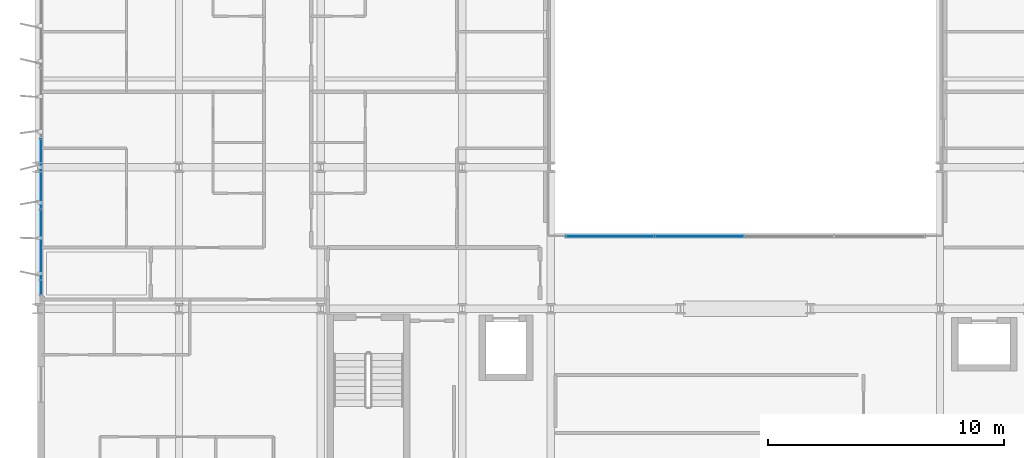
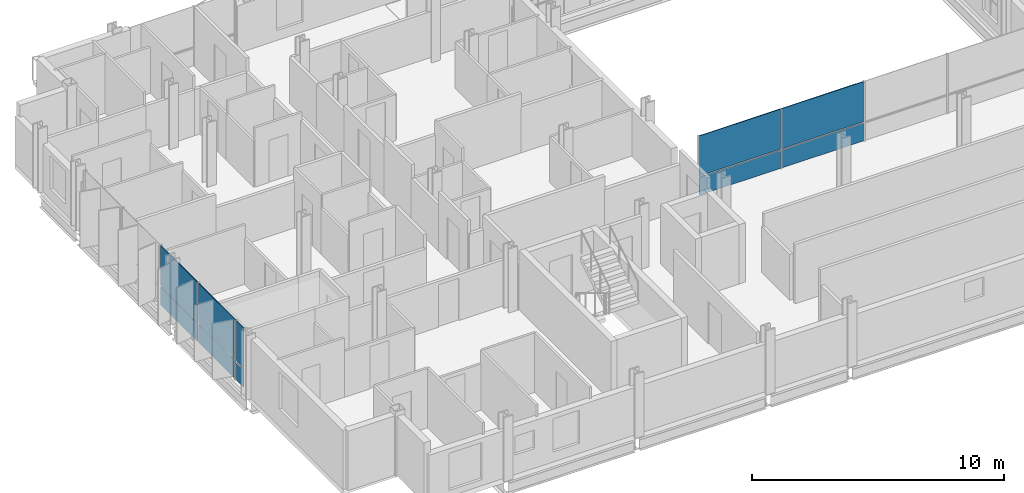
# One storey, part 22 of 39: 10 plates, 2 elements without a shape of their own.
"""IFC4 building model written with IfcOpenShell, lengths in metres."""

from ifc_helpers import new_model, si_unit, direction, frame, origin, origin_2d, place, context, subcontext, project, spatial, rectangle, extrude, material, layer, layer_set, type_object, element, aggregate, save


model = new_model("IFC4")

# Units and contexts
model_context = context("Model", 3, precision=1e-05, world=origin(), true_north=direction((0.0, 1.0)))
body_context = subcontext(model_context, "Body", "Model", "MODEL_VIEW")
ifc_project = project(units=[si_unit("LENGTHUNIT", "METRE"), si_unit("AREAUNIT", "SQUARE_METRE"), si_unit("VOLUMEUNIT", "CUBIC_METRE"), si_unit("PLANEANGLEUNIT", "RADIAN"), si_unit("MASSUNIT", "GRAM", prefix="KILO")], contexts=[model_context])

# Site, building, storey
site_placement = place(None, origin())
site = spatial("IfcSite", under=ifc_project, at=site_placement, CompositionType="ELEMENT")
building_placement = place(site_placement, origin())
building = spatial("IfcBuilding", under=site, at=building_placement, Name="Brevholm Reach", CompositionType="ELEMENT")
storey_placement = place(building_placement, frame((0.0, 0.0, 83.800048828125)))
storey = spatial("IfcBuildingStorey", under=building, at=storey_placement, Name="L24", CompositionType="ELEMENT", Elevation=83.800048828125)

# Curtain wall, plates
ifc_material_1 = material(Name="Dark Anodised Aluminium 6063-T6 and Solar-Control Glass", Category="aluminium")
ifc_layer_1 = layer(ifc_material_1, 0.14990234375)
ifc_layer_set_1 = layer_set([ifc_layer_1], Name="Dark Anodised Aluminium 6063-T6 and Solar-Control Glass")
curtain_wall_type_1 = type_object("IfcCurtainWallType", Name="CW-01", PredefinedType="NOTDEFINED", material=ifc_layer_set_1)
curtain_wall_1_placement = place(storey_placement, origin())
curtain_wall_1 = element("IfcCurtainWall", 1, at=curtain_wall_1_placement, inside=storey, type_object=curtain_wall_type_1, Name="L24 Curtain Wall CW-01", PredefinedType="NOTDEFINED")
ifc_material_2 = material(Name="Dark Solar-Control Double-Glazed IGU Glass", Category="glass")
ifc_layer_2 = layer(ifc_material_2, 0.028076171875)
ifc_layer_set_2 = layer_set([ifc_layer_2], Name="Dark Solar-Control Double-Glazed IGU Glass")
plate_type_1 = type_object("IfcPlateType", Name="CWP-GLZ-28", PredefinedType="CURTAIN_PANEL", material=ifc_layer_set_2)
plate_1_placement = place(storey_placement, frame((0.14990234375, 15.719970703125, 0.0), z_axis=(0.0, 0.0, 1.0), x_axis=(0.0, -1.0, 0.0)))
plate_1 = element("IfcPlate", 2, at=plate_1_placement, type_object=plate_type_1, Name="CP-01 Glazing Panel 3.1", PredefinedType="CURTAIN_PANEL", context=body_context, shape_type="SweptSolid", body=[
    extrude(rectangle(XDim=2.93505859375, YDim=0.028076171875, at=origin_2d()), origin(), (0.0, 0.0, 1.0), 0.867431640625),
])
plate_2_placement = place(storey_placement, frame((0.14990234375, 15.719970703125, 0.932373046875), z_axis=(0.0, 0.0, 1.0), x_axis=(0.0, -1.0, 0.0)))
plate_2 = element("IfcPlate", 3, at=plate_2_placement, type_object=plate_type_1, Name="CP-01 Glazing Panel 3.2", PredefinedType="CURTAIN_PANEL", context=body_context, shape_type="SweptSolid", body=[
    extrude(rectangle(XDim=2.93505859375, YDim=0.028076171875, at=origin_2d()), origin(), (0.0, 0.0, 1.0), 1.9375),
])
plate_3_placement = place(storey_placement, frame((0.14990234375, 12.719970703125, 0.0), z_axis=(0.0, 0.0, 1.0), x_axis=(0.0, -1.0, 0.0)))
plate_3 = element("IfcPlate", 4, at=plate_3_placement, type_object=plate_type_1, Name="CP-01 Glazing Panel 4.1", PredefinedType="CURTAIN_PANEL", context=body_context, shape_type="SweptSolid", body=[
    extrude(rectangle(XDim=2.93505859375, YDim=0.028076171875, at=origin_2d()), origin(), (0.0, 0.0, 1.0), 0.867431640625),
])
plate_4_placement = place(storey_placement, frame((0.14990234375, 12.719970703125, 0.932373046875), z_axis=(0.0, 0.0, 1.0), x_axis=(0.0, -1.0, 0.0)))
plate_4 = element("IfcPlate", 5, at=plate_4_placement, type_object=plate_type_1, Name="CP-01 Glazing Panel 4.2", PredefinedType="CURTAIN_PANEL", context=body_context, shape_type="SweptSolid", body=[
    extrude(rectangle(XDim=2.93505859375, YDim=0.028076171875, at=origin_2d()), origin(), (0.0, 0.0, 1.0), 1.9375),
])
plate_5_placement = place(storey_placement, frame((0.14990234375, 10.9013671875, 0.0), z_axis=(0.0, 0.0, 1.0), x_axis=(0.0, -1.0, 0.0)))
plate_5 = element("IfcPlate", 6, at=plate_5_placement, type_object=plate_type_1, Name="CP-01 Glazing Panel 5.1", PredefinedType="CURTAIN_PANEL", context=body_context, shape_type="SweptSolid", body=[
    extrude(rectangle(XDim=0.572509765625, YDim=0.028076171875, at=origin_2d()), origin(), (0.0, 0.0, 1.0), 0.867431640625),
])
plate_6_placement = place(storey_placement, frame((0.14990234375, 10.9013671875, 0.932373046875), z_axis=(0.0, 0.0, 1.0), x_axis=(0.0, -1.0, 0.0)))
plate_6 = element("IfcPlate", 7, at=plate_6_placement, type_object=plate_type_1, Name="CP-01 Glazing Panel 5.2", PredefinedType="CURTAIN_PANEL", context=body_context, shape_type="SweptSolid", body=[
    extrude(rectangle(XDim=0.572509765625, YDim=0.028076171875, at=origin_2d()), origin(), (0.0, 0.0, 1.0), 1.9375),
])
aggregate(curtain_wall_1, [plate_1, plate_2, plate_3, plate_4, plate_5, plate_6])

ifc_material_3 = material(Name="Dark Anodised Aluminium 6063-T6 and Solar-Control Glass", Category="aluminium")
ifc_layer_3 = layer(ifc_material_3, 0.139892578125)
ifc_layer_set_3 = layer_set([ifc_layer_3], Name="Dark Anodised Aluminium 6063-T6 and Solar-Control Glass")
curtain_wall_type_2 = type_object("IfcCurtainWallType", Name="CW-02", PredefinedType="NOTDEFINED", material=ifc_layer_set_3)
curtain_wall_2_placement = place(storey_placement, origin())
curtain_wall_2 = element("IfcCurtainWall", 8, at=curtain_wall_2_placement, inside=storey, type_object=curtain_wall_type_2, Name="L24 Curtain Wall CW-02", PredefinedType="NOTDEFINED")
ifc_material_4 = material(Name="Low-Iron Laminated Acoustic Glass", Category="glass")
ifc_layer_4 = layer(ifc_material_4, 0.035888671875)
ifc_layer_set_4 = layer_set([ifc_layer_4], Name="Low-Iron Laminated Acoustic Glass")
plate_type_2 = type_object("IfcPlateType", Name="CWP-GLZ-36", PredefinedType="CURTAIN_PANEL", material=ifc_layer_set_4)
plate_7_placement = place(storey_placement, frame((24.264892578125, 13.080078125, 0.0), z_axis=(0.0, 0.0, 1.0), x_axis=(1.0, 0.0, 0.0)))
plate_7 = element("IfcPlate", 9, at=plate_7_placement, type_object=plate_type_2, Name="CP-02 Glazing Panel 1.1", PredefinedType="CURTAIN_PANEL", context=body_context, shape_type="SweptSolid", body=[
    extrude(rectangle(XDim=3.7099609375, YDim=0.035888671875, at=origin_2d()), origin(), (0.0, 0.0, 1.0), 0.8701171875),
])
plate_8_placement = place(storey_placement, frame((24.264892578125, 13.080078125, 0.929931640625), z_axis=(0.0, 0.0, 1.0), x_axis=(1.0, 0.0, 0.0)))
plate_8 = element("IfcPlate", 10, at=plate_8_placement, type_object=plate_type_2, Name="CP-02 Glazing Panel 1.2", PredefinedType="CURTAIN_PANEL", context=body_context, shape_type="SweptSolid", body=[
    extrude(rectangle(XDim=3.7099609375, YDim=0.035888671875, at=origin_2d()), origin(), (0.0, 0.0, 1.0), 1.93994140625),
])
plate_9_placement = place(storey_placement, frame((28.050048828125, 13.080078125, 0.0), z_axis=(0.0, 0.0, 1.0), x_axis=(1.0, 0.0, 0.0)))
plate_9 = element("IfcPlate", 11, at=plate_9_placement, type_object=plate_type_2, Name="CP-02 Glazing Panel 2.1", PredefinedType="CURTAIN_PANEL", context=body_context, shape_type="SweptSolid", body=[
    extrude(rectangle(XDim=3.739990234375, YDim=0.035888671875, at=origin_2d()), origin(), (0.0, 0.0, 1.0), 0.8701171875),
])
plate_10_placement = place(storey_placement, frame((28.050048828125, 13.080078125, 0.929931640625), z_axis=(0.0, 0.0, 1.0), x_axis=(1.0, 0.0, 0.0)))
plate_10 = element("IfcPlate", 12, at=plate_10_placement, type_object=plate_type_2, Name="CP-02 Glazing Panel 2.2", PredefinedType="CURTAIN_PANEL", context=body_context, shape_type="SweptSolid", body=[
    extrude(rectangle(XDim=3.739990234375, YDim=0.035888671875, at=origin_2d()), origin(), (0.0, 0.0, 1.0), 1.93994140625),
])
aggregate(curtain_wall_2, [plate_7, plate_8, plate_9, plate_10])

save(model, "model.ifc")
